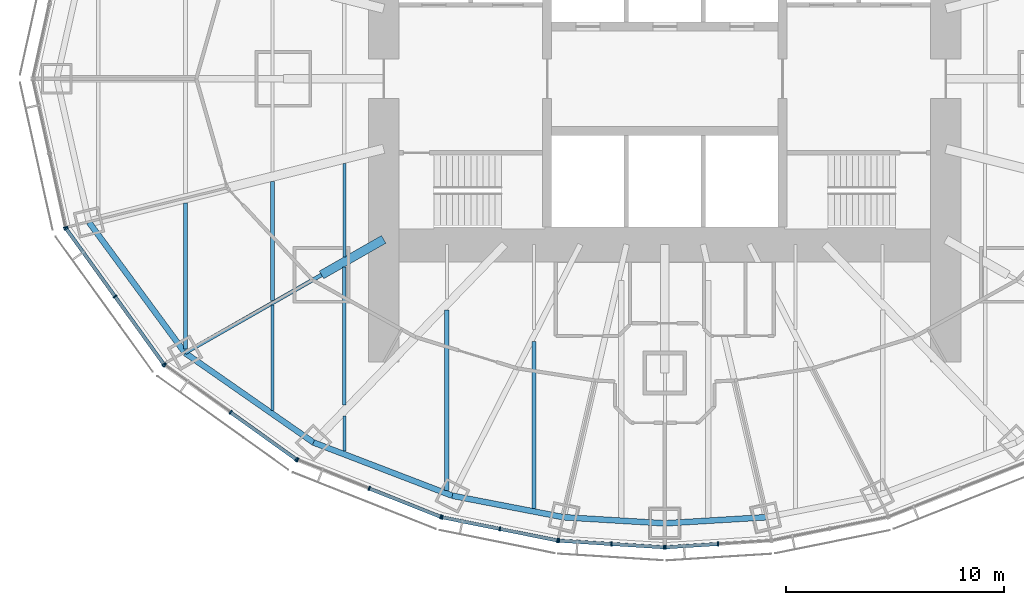
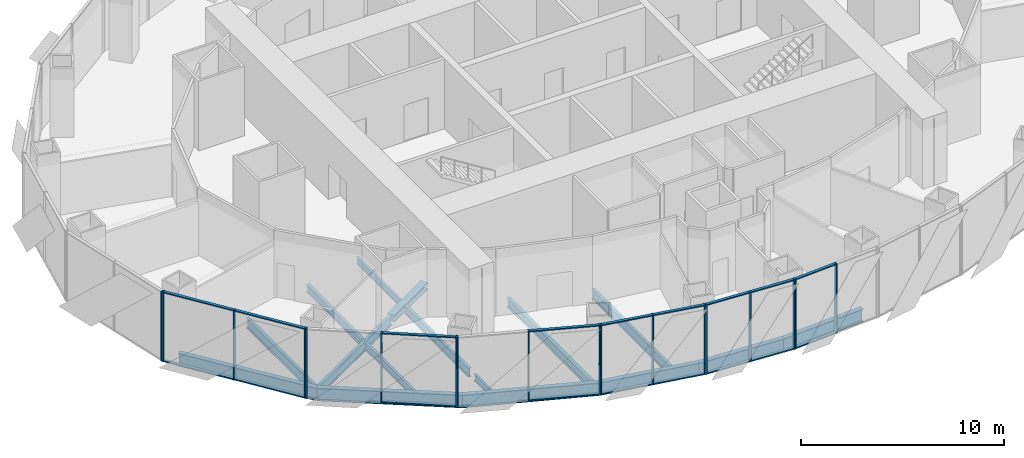
# One storey, part 2 of 17: 36 members, 16 beams, 7 elements without a shape of their own.
"""IFC4 building model written with IfcOpenShell, lengths in metres."""

from ifc_helpers import new_model, si_unit, direction, frame, origin, origin_2d, place, context, subcontext, project, spatial, rectangle, i_section, extrude, material, material_profile, profile_set, type_object, element, aggregate, save


model = new_model("IFC4")

# Units and contexts
model_context = context("Model", 3, precision=1e-05, world=origin(), true_north=direction((0.0, 1.0)))
body_context = subcontext(model_context, "Body", "Model", "MODEL_VIEW")
ifc_project = project(units=[si_unit("LENGTHUNIT", "METRE"), si_unit("AREAUNIT", "SQUARE_METRE"), si_unit("VOLUMEUNIT", "CUBIC_METRE"), si_unit("PLANEANGLEUNIT", "RADIAN"), si_unit("MASSUNIT", "GRAM", prefix="KILO")], contexts=[model_context])

# Site, building, storey
site_placement = place(None, origin())
site = spatial("IfcSite", under=ifc_project, at=site_placement, CompositionType="ELEMENT")
building_placement = place(site_placement, origin())
building = spatial("IfcBuilding", under=site, at=building_placement, Name="Lantaw Convention Tower", CompositionType="ELEMENT")
storey_placement = place(building_placement, frame((0.0, 0.0, 155.199951171875)))
storey = spatial("IfcBuildingStorey", under=building, at=storey_placement, Name="L36", CompositionType="ELEMENT", Elevation=155.199951171875)

# Beams
ifc_material_1 = material(Name="Steel ASTM A992", Category="steel")
ifc_material_profile_1 = material_profile(ifc_material_1, i_section(OverallWidth=0.2666015625, OverallDepth=0.76953125, WebThickness=0.015625, FlangeThickness=0.025390625, FilletRadius=0.0126953125, at=origin_2d()), Name="W30X132")
ifc_profile_set_1 = profile_set([ifc_material_profile_1], Name="Steel ASTM A992")
beam_type_1 = type_object("IfcBeamType", Name="Beam E W30X132", PredefinedType="SPANDREL", material=ifc_profile_set_1)
beam_1_placement = place(storey_placement, frame((-26.419921875, -6.587158203125, -0.53466796875), z_axis=(0.5923891972, -0.805651934176, 0.0), x_axis=(0.805651934176, 0.5923891972, 0.0)))
element("IfcBeam", 1, at=beam_1_placement, inside=storey, type_object=beam_type_1, Name="Edge beam 14", PredefinedType="SPANDREL", context=body_context, shape_type="SweptSolid", body=[
    extrude(i_section(OverallWidth=0.2666015625, OverallDepth=0.76953125, WebThickness=0.015625, FlangeThickness=0.025390625, FilletRadius=0.0126953125, at=origin_2d()), origin(), (0.0, 0.0, 1.0), 7.437744140625),
])
beam_2_placement = place(storey_placement, frame((-22.013916015625, -12.579345703125, -0.53466796875), z_axis=(0.820310765287, -0.57191804339, 0.0), x_axis=(0.57191804339, 0.820310765287, 0.0)))
element("IfcBeam", 2, at=beam_2_placement, inside=storey, type_object=beam_type_1, Name="Edge beam 15", PredefinedType="SPANDREL", context=body_context, shape_type="SweptSolid", body=[
    extrude(i_section(OverallWidth=0.2666015625, OverallDepth=0.76953125, WebThickness=0.015625, FlangeThickness=0.025390625, FilletRadius=0.0126953125, at=origin_2d()), origin(), (0.0, 0.0, 1.0), 7.187744140625),
])
beam_3_placement = place(storey_placement, frame((-16.11767578125, -16.690185546875, -0.53466796875), z_axis=(0.933691081977, -0.358079549033, 0.0), x_axis=(0.358079549033, 0.933691081977, 0.0)))
element("IfcBeam", 3, at=beam_3_placement, inside=storey, type_object=beam_type_1, Name="Edge beam 16", PredefinedType="SPANDREL", context=body_context, shape_type="SweptSolid", body=[
    extrude(i_section(OverallWidth=0.2666015625, OverallDepth=0.76953125, WebThickness=0.015625, FlangeThickness=0.025390625, FilletRadius=0.0126953125, at=origin_2d()), origin(), (0.0, 0.0, 1.0), 6.821533203125),
])
beam_4_placement = place(storey_placement, frame((-9.74853515625, -19.1328125, -0.53466796875), z_axis=(0.981796805654, -0.189934284446, 0.0), x_axis=(0.189934284446, 0.981796805654, 0.0)))
element("IfcBeam", 4, at=beam_4_placement, inside=storey, type_object=beam_type_1, Name="Edge beam 17", PredefinedType="SPANDREL", context=body_context, shape_type="SweptSolid", body=[
    extrude(i_section(OverallWidth=0.2666015625, OverallDepth=0.76953125, WebThickness=0.015625, FlangeThickness=0.025390625, FilletRadius=0.0126953125, at=origin_2d()), origin(), (0.0, 0.0, 1.0), 5.1982421875),
])
for number, where, z_axis, x_axis, name in (
    (5, (-4.64501953125, -20.1201171875, -0.53466796875), (0.998190892054, -0.06012439621, 0.0), (0.06012439621, 0.998190892054, 0.0), "Edge beam 18"),
    (6, (0.0, -20.39990234375, -0.53466796875), (0.998190892054, 0.06012439621, 0.0), (-0.06012439621, 0.998190892054, 0.0), "Edge beam 19"),
):
    element("IfcBeam", number, at=place(storey_placement, frame(where, z_axis=z_axis, x_axis=x_axis)), inside=storey, type_object=beam_type_1, Name=name, PredefinedType="SPANDREL", context=body_context, shape_type="SweptSolid", body=[
        extrude(i_section(OverallWidth=0.2666015625, OverallDepth=0.76953125, WebThickness=0.015625, FlangeThickness=0.025390625, FilletRadius=0.0126953125, at=origin_2d()), origin(), (0.0, 0.0, 1.0), 4.6533203125),
    ])
ifc_material_profile_2 = material_profile(ifc_material_1, i_section(OverallWidth=0.177978515625, OverallDepth=0.599365234375, WebThickness=0.010009765625, FlangeThickness=0.012939453125, FilletRadius=0.012939453125, at=origin_2d()), Name="W24X55")
ifc_profile_set_2 = profile_set([ifc_material_profile_2], Name="Steel ASTM A992")
beam_type_2 = type_object("IfcBeamType", Name="Beam G W24X55", PredefinedType="BEAM", material=ifc_profile_set_2)
beam_5_placement = place(storey_placement, frame((-15.75, -9.0, -0.44970703125), z_axis=(-0.868245224608, -0.496135293993, 0.0), x_axis=(0.496135293993, -0.868245224608, 0.0)))
element("IfcBeam", 7, at=beam_5_placement, inside=storey, type_object=beam_type_2, Name="Floor girder on ray 15", PredefinedType="BEAM", context=body_context, shape_type="SweptSolid", body=[
    extrude(i_section(OverallWidth=0.177978515625, OverallDepth=0.599365234375, WebThickness=0.010009765625, FlangeThickness=0.012939453125, FilletRadius=0.012939453125, at=origin_2d()), origin(), (0.0, 0.0, 1.0), 7.21435546875),
])
ifc_material_profile_3 = material_profile(ifc_material_1, i_section(OverallWidth=0.40380859375, OverallDepth=0.406494140625, WebThickness=0.027099609375, FlangeThickness=0.043701171875, FilletRadius=0.01513671875, at=origin_2d()), Name="W14X233")
ifc_profile_set_3 = profile_set([ifc_material_profile_3], Name="Steel ASTM A992")
beam_type_3 = type_object("IfcBeamType", Name="Beam GM W14X233", PredefinedType="BEAM", material=ifc_profile_set_3)
beam_6_placement = place(storey_placement, frame((-12.89990234375, -7.371337890625, -0.353271484375), z_axis=(-0.868238565244, -0.496146947811, 0.0), x_axis=(0.496146947811, -0.868238565244, 0.0)))
element("IfcBeam", 8, at=beam_6_placement, inside=storey, type_object=beam_type_3, Name="Core link beam on ray 15", PredefinedType="BEAM", context=body_context, shape_type="SweptSolid", body=[
    extrude(i_section(OverallWidth=0.40380859375, OverallDepth=0.406494140625, WebThickness=0.027099609375, FlangeThickness=0.043701171875, FilletRadius=0.01513671875, at=origin_2d()), origin(), (0.0, 0.0, 1.0), 3.28271484375),
])
ifc_material_profile_4 = material_profile(ifc_material_1, i_section(OverallWidth=0.140380859375, OverallDepth=0.40380859375, WebThickness=0.007080078125, FlangeThickness=0.01123046875, FilletRadius=0.01025390625, at=origin_2d()), Name="W16X31")
ifc_profile_set_4 = profile_set([ifc_material_profile_4], Name="Steel ASTM A992")
beam_type_4 = type_object("IfcBeamType", Name="Beam J W16X31", PredefinedType="JOIST", material=ifc_profile_set_4)
beam_7_placement = place(storey_placement, frame((-14.699951171875, -17.091064453125, -0.351806640625), z_axis=(0.0, 1.0, 0.0), x_axis=(-1.0, 0.0, 0.0)))
element("IfcBeam", 9, at=beam_7_placement, inside=storey, type_object=beam_type_4, Name="Floor joist", PredefinedType="JOIST", context=body_context, shape_type="SweptSolid", body=[
    extrude(i_section(OverallWidth=0.140380859375, OverallDepth=0.40380859375, WebThickness=0.007080078125, FlangeThickness=0.01123046875, FilletRadius=0.01025390625, at=origin_2d()), origin(), (0.0, 0.0, 1.0), 1.609130859375),
])
beam_8_placement = place(storey_placement, frame((-14.699951171875, -8.16748046875, -0.351806640625), z_axis=(0.0, 1.0, 0.0), x_axis=(-1.0, 0.0, 0.0)))
element("IfcBeam", 10, at=beam_8_placement, inside=storey, type_object=beam_type_4, Name="Floor joist", PredefinedType="JOIST", context=body_context, shape_type="SweptSolid", body=[
    extrude(i_section(OverallWidth=0.140380859375, OverallDepth=0.40380859375, WebThickness=0.007080078125, FlangeThickness=0.01123046875, FilletRadius=0.01025390625, at=origin_2d()), origin(), (0.0, 0.0, 1.0), 4.28515625),
])
ifc_material_profile_5 = material_profile(ifc_material_1, i_section(OverallWidth=0.15234375, OverallDepth=0.449462890625, WebThickness=0.007568359375, FlangeThickness=0.0107421875, FilletRadius=0.01025390625, at=origin_2d()), Name="W18X35")
ifc_profile_set_5 = profile_set([ifc_material_profile_5], Name="Steel ASTM A992")
beam_type_5 = type_object("IfcBeamType", Name="Beam J W18X35", PredefinedType="JOIST", material=ifc_profile_set_5)
beam_9_placement = place(storey_placement, frame((-18.0, -15.21533203125, -0.374755859375), z_axis=(0.0, 1.0, 0.0), x_axis=(-1.0, 0.0, 0.0)))
element("IfcBeam", 11, at=beam_9_placement, inside=storey, type_object=beam_type_5, Name="Floor joist", PredefinedType="JOIST", context=body_context, shape_type="SweptSolid", body=[
    extrude(i_section(OverallWidth=0.15234375, OverallDepth=0.449462890625, WebThickness=0.007568359375, FlangeThickness=0.0107421875, FilletRadius=0.01025390625, at=origin_2d()), origin(), (0.0, 0.0, 1.0), 4.8271484375),
])
ifc_material_profile_6 = material_profile(ifc_material_1, i_section(OverallWidth=0.1904296875, OverallDepth=0.457275390625, WebThickness=0.009033203125, FlangeThickness=0.014404296875, FilletRadius=0.01025390625, at=origin_2d()), Name="W18X50")
ifc_profile_set_6 = profile_set([ifc_material_profile_6], Name="Steel ASTM A992")
beam_type_6 = type_object("IfcBeamType", Name="Beam J W18X50", PredefinedType="JOIST", material=ifc_profile_set_6)
beam_10_placement = place(storey_placement, frame((-18.0, -10.18310546875, -0.378662109375), z_axis=(0.0, 1.0, 0.0), x_axis=(-1.0, 0.0, 0.0)))
element("IfcBeam", 12, at=beam_10_placement, inside=storey, type_object=beam_type_6, Name="Floor joist", PredefinedType="JOIST", context=body_context, shape_type="SweptSolid", body=[
    extrude(i_section(OverallWidth=0.1904296875, OverallDepth=0.457275390625, WebThickness=0.009033203125, FlangeThickness=0.014404296875, FilletRadius=0.01025390625, at=origin_2d()), origin(), (0.0, 0.0, 1.0), 5.47802734375),
])
ifc_material_profile_7 = material_profile(ifc_material_1, i_section(OverallWidth=0.1650390625, OverallDepth=0.52587890625, WebThickness=0.0087890625, FlangeThickness=0.011474609375, FilletRadius=0.0126953125, at=origin_2d()), Name="W21X44")
ifc_profile_set_7 = profile_set([ifc_material_profile_7], Name="Steel ASTM A992")
beam_type_7 = type_object("IfcBeamType", Name="Beam J W21X44", PredefinedType="JOIST", material=ifc_profile_set_7)
beam_11_placement = place(storey_placement, frame((-14.699951171875, -14.962646484375, -0.412841796875), z_axis=(0.0, 1.0, 0.0), x_axis=(-1.0, 0.0, 0.0)))
element("IfcBeam", 13, at=beam_11_placement, inside=storey, type_object=beam_type_7, Name="Floor joist", PredefinedType="JOIST", context=body_context, shape_type="SweptSolid", body=[
    extrude(i_section(OverallWidth=0.1650390625, OverallDepth=0.52587890625, WebThickness=0.0087890625, FlangeThickness=0.011474609375, FilletRadius=0.0126953125, at=origin_2d()), origin(), (0.0, 0.0, 1.0), 6.330078125),
])
ifc_material_profile_8 = material_profile(ifc_material_1, i_section(OverallWidth=0.2099609375, OverallDepth=0.535888671875, WebThickness=0.010986328125, FlangeThickness=0.017333984375, FilletRadius=0.012939453125, at=origin_2d()), Name="W21X68")
ifc_profile_set_8 = profile_set([ifc_material_profile_8], Name="Steel ASTM A992")
beam_type_8 = type_object("IfcBeamType", Name="Beam J W21X68", PredefinedType="JOIST", material=ifc_profile_set_8)
beam_12_placement = place(storey_placement, frame((-10.0, -18.8935546875, -0.41796875), z_axis=(0.0, 1.0, 0.0), x_axis=(-1.0, 0.0, 0.0)))
element("IfcBeam", 14, at=beam_12_placement, inside=storey, type_object=beam_type_8, Name="Floor joist", PredefinedType="JOIST", context=body_context, shape_type="SweptSolid", body=[
    extrude(i_section(OverallWidth=0.2099609375, OverallDepth=0.535888671875, WebThickness=0.010986328125, FlangeThickness=0.017333984375, FilletRadius=0.012939453125, at=origin_2d()), origin(), (0.0, 0.0, 1.0), 8.278564453125),
])
ifc_material_profile_9 = material_profile(ifc_material_1, i_section(OverallWidth=0.177978515625, OverallDepth=0.599365234375, WebThickness=0.010009765625, FlangeThickness=0.012939453125, FilletRadius=0.012939453125, at=origin_2d()), Name="W24X55")
ifc_profile_set_9 = profile_set([ifc_material_profile_9], Name="Steel ASTM A992")
beam_type_9 = type_object("IfcBeamType", Name="Beam J W24X55", PredefinedType="JOIST", material=ifc_profile_set_9)
beam_13_placement = place(storey_placement, frame((-22.0, -12.408935546875, -0.44970703125), z_axis=(0.0, 1.0, 0.0), x_axis=(-1.0, 0.0, 0.0)))
element("IfcBeam", 15, at=beam_13_placement, inside=storey, type_object=beam_type_9, Name="Floor joist", PredefinedType="JOIST", context=body_context, shape_type="SweptSolid", body=[
    extrude(i_section(OverallWidth=0.177978515625, OverallDepth=0.599365234375, WebThickness=0.010009765625, FlangeThickness=0.012939453125, FilletRadius=0.012939453125, at=origin_2d()), origin(), (0.0, 0.0, 1.0), 6.70654296875),
])
beam_14_placement = place(storey_placement, frame((-6.0, -19.72216796875, -0.44970703125), z_axis=(0.0, 1.0, 0.0), x_axis=(-1.0, 0.0, 0.0)))
element("IfcBeam", 16, at=beam_14_placement, inside=storey, type_object=beam_type_9, Name="Floor joist", PredefinedType="JOIST", context=body_context, shape_type="SweptSolid", body=[
    extrude(i_section(OverallWidth=0.177978515625, OverallDepth=0.599365234375, WebThickness=0.010009765625, FlangeThickness=0.012939453125, FilletRadius=0.012939453125, at=origin_2d()), origin(), (0.0, 0.0, 1.0), 7.666748046875),
])

# Curtain wall, member
ifc_material_2 = material(Name="Aluminium framed curtain wall", Category="aluminium")
curtain_wall_type = type_object("IfcCurtainWallType", Name="Office curtain wall low rise, pale aluminium", PredefinedType="USERDEFINED", material=ifc_material_2)
curtain_wall_1_placement = place(storey_placement, origin())
curtain_wall_1 = element("IfcCurtainWall", 17, at=curtain_wall_1_placement, inside=storey, type_object=curtain_wall_type, Name="Office curtain wall low rise, pale aluminium L36", ObjectType="UNITISED CURTAIN WALL", PredefinedType="USERDEFINED")
ifc_material_3 = material(Name="Aluminium 6063-T6", Category="aluminium")
ifc_material_profile_10 = material_profile(ifc_material_3, rectangle(XDim=0.199951171875, YDim=0.06494140625, at=origin_2d()), Name="CW-O1 mullion 65x200")
ifc_profile_set_10 = profile_set([ifc_material_profile_10], Name="Aluminium 6063-T6")
member_type_1 = type_object("IfcMemberType", Name="CW-O1 mullion 65x200", PredefinedType="MULLION", material=ifc_profile_set_10)
member_1_placement = place(storey_placement, frame((-27.494140625, -6.821533203125, -0.14990234375), z_axis=(0.0, 0.0, 1.0), x_axis=(0.9764936509, 0.215546166174, 0.0)))
member_1 = element("IfcMember", 18, at=member_1_placement, type_object=member_type_1, Name="CW-O1 mullion 3", PredefinedType="MULLION", context=body_context, shape_type="SweptSolid", body=[
    extrude(rectangle(XDim=0.199951171875, YDim=0.06494140625, at=origin_2d()), origin(), (0.0, 0.0, 1.0), 4.199951171875),
])
aggregate(curtain_wall_1, [member_1])

# Curtain wall, members
curtain_wall_2_placement = place(storey_placement, origin())
curtain_wall_2 = element("IfcCurtainWall", 19, at=curtain_wall_2_placement, inside=storey, type_object=curtain_wall_type, Name="Office curtain wall low rise, pale aluminium L36", ObjectType="UNITISED CURTAIN WALL", PredefinedType="USERDEFINED")
member_2_placement = place(storey_placement, frame((-27.46826171875, -6.879638671875, -0.14990234375), z_axis=(0.0, 0.0, 1.0), x_axis=(0.811384633629, 0.584512597221, 0.0)))
member_2 = element("IfcMember", 20, at=member_2_placement, type_object=member_type_1, Name="CW-O1 mullion 1", PredefinedType="MULLION", context=body_context, shape_type="SweptSolid", body=[
    extrude(rectangle(XDim=0.199951171875, YDim=0.06494140625, at=origin_2d()), origin(), (0.0, 0.0, 1.0), 4.199951171875),
])
member_3_placement = place(storey_placement, frame((-25.22802734375, -9.9892578125, -0.14990234375), z_axis=(0.0, 0.0, 1.0), x_axis=(0.811384633629, 0.584512597221, 0.0)))
member_3 = element("IfcMember", 21, at=member_3_placement, type_object=member_type_1, Name="CW-O1 mullion 2", PredefinedType="MULLION", context=body_context, shape_type="SweptSolid", body=[
    extrude(rectangle(XDim=0.199951171875, YDim=0.06494140625, at=origin_2d()), origin(), (0.0, 0.0, 1.0), 4.199951171875),
])
member_4_placement = place(storey_placement, frame((-22.988037109375, -13.098876953125, -0.14990234375), z_axis=(0.0, 0.0, 1.0), x_axis=(0.811384633629, 0.584512597221, 0.0)))
member_4 = element("IfcMember", 22, at=member_4_placement, type_object=member_type_1, Name="CW-O1 mullion 3", PredefinedType="MULLION", context=body_context, shape_type="SweptSolid", body=[
    extrude(rectangle(XDim=0.199951171875, YDim=0.06494140625, at=origin_2d()), origin(), (0.0, 0.0, 1.0), 4.199951171875),
])

curtain_wall_3_placement = place(storey_placement, origin())
curtain_wall_3 = element("IfcCurtainWall", 23, at=curtain_wall_3_placement, inside=storey, type_object=curtain_wall_type, Name="Office curtain wall low rise, pale aluminium L36", ObjectType="UNITISED CURTAIN WALL", PredefinedType="USERDEFINED")
member_5_placement = place(storey_placement, frame((-22.942626953125, -13.14404296875, -0.14990234375), z_axis=(0.0, 0.0, 1.0), x_axis=(0.581972695693, 0.813208325995, 0.0)))
member_5 = element("IfcMember", 24, at=member_5_placement, type_object=member_type_1, Name="CW-O1 mullion 1", PredefinedType="MULLION", context=body_context, shape_type="SweptSolid", body=[
    extrude(rectangle(XDim=0.199951171875, YDim=0.06494140625, at=origin_2d()), origin(), (0.0, 0.0, 1.0), 4.199951171875),
])
member_6_placement = place(storey_placement, frame((-19.92529296875, -15.303466796875, -0.14990234375), z_axis=(0.0, 0.0, 1.0), x_axis=(0.581972695693, 0.813208325995, 0.0)))
member_6 = element("IfcMember", 25, at=member_6_placement, type_object=member_type_1, Name="CW-O1 mullion 2", PredefinedType="MULLION", context=body_context, shape_type="SweptSolid", body=[
    extrude(rectangle(XDim=0.199951171875, YDim=0.06494140625, at=origin_2d()), origin(), (0.0, 0.0, 1.0), 4.199951171875),
])
member_7_placement = place(storey_placement, frame((-16.908203125, -17.462646484375, -0.14990234375), z_axis=(0.0, 0.0, 1.0), x_axis=(0.581972695693, 0.813208325995, 0.0)))
member_7 = element("IfcMember", 26, at=member_7_placement, type_object=member_type_1, Name="CW-O1 mullion 3", PredefinedType="MULLION", context=body_context, shape_type="SweptSolid", body=[
    extrude(rectangle(XDim=0.199951171875, YDim=0.06494140625, at=origin_2d()), origin(), (0.0, 0.0, 1.0), 4.199951171875),
])

curtain_wall_4_placement = place(storey_placement, origin())
curtain_wall_4 = element("IfcCurtainWall", 27, at=curtain_wall_4_placement, inside=storey, type_object=curtain_wall_type, Name="Office curtain wall low rise, pale aluminium L36", ObjectType="UNITISED CURTAIN WALL", PredefinedType="USERDEFINED")
member_8_placement = place(storey_placement, frame((-16.8515625, -17.49365234375, -0.14990234375), z_axis=(0.0, 0.0, 1.0), x_axis=(0.368701907483, 0.929547687544, 0.0)))
member_8 = element("IfcMember", 28, at=member_8_placement, type_object=member_type_1, Name="CW-O1 mullion 1", PredefinedType="MULLION", context=body_context, shape_type="SweptSolid", body=[
    extrude(rectangle(XDim=0.199951171875, YDim=0.06494140625, at=origin_2d()), origin(), (0.0, 0.0, 1.0), 4.199951171875),
])
member_9_placement = place(storey_placement, frame((-13.56494140625, -18.797119140625, -0.14990234375), z_axis=(0.0, 0.0, 1.0), x_axis=(0.368701907483, 0.929547687544, 0.0)))
member_9 = element("IfcMember", 29, at=member_9_placement, type_object=member_type_1, Name="CW-O1 mullion 2", PredefinedType="MULLION", context=body_context, shape_type="SweptSolid", body=[
    extrude(rectangle(XDim=0.199951171875, YDim=0.06494140625, at=origin_2d()), origin(), (0.0, 0.0, 1.0), 4.199951171875),
])
member_10_placement = place(storey_placement, frame((-10.2783203125, -20.100830078125, -0.14990234375), z_axis=(0.0, 0.0, 1.0), x_axis=(0.368701907483, 0.929547687544, 0.0)))
member_10 = element("IfcMember", 30, at=member_10_placement, type_object=member_type_1, Name="CW-O1 mullion 3", PredefinedType="MULLION", context=body_context, shape_type="SweptSolid", body=[
    extrude(rectangle(XDim=0.199951171875, YDim=0.06494140625, at=origin_2d()), origin(), (0.0, 0.0, 1.0), 4.199951171875),
])

curtain_wall_5_placement = place(storey_placement, origin())
curtain_wall_5 = element("IfcCurtainWall", 31, at=curtain_wall_5_placement, inside=storey, type_object=curtain_wall_type, Name="Office curtain wall low rise, pale aluminium L36", ObjectType="UNITISED CURTAIN WALL", PredefinedType="USERDEFINED")
member_11_placement = place(storey_placement, frame((-10.216064453125, -20.119140625, -0.14990234375), z_axis=(0.0, 0.0, 1.0), x_axis=(0.197506809659, 0.980301514912, 0.0)))
member_11 = element("IfcMember", 32, at=member_11_placement, type_object=member_type_1, Name="CW-O1 mullion 1", PredefinedType="MULLION", context=body_context, shape_type="SweptSolid", body=[
    extrude(rectangle(XDim=0.199951171875, YDim=0.06494140625, at=origin_2d()), origin(), (0.0, 0.0, 1.0), 4.199951171875),
])
member_12_placement = place(storey_placement, frame((-7.5703125, -20.65234375, -0.14990234375), z_axis=(0.0, 0.0, 1.0), x_axis=(0.197506809659, 0.980301514912, 0.0)))
member_12 = element("IfcMember", 33, at=member_12_placement, type_object=member_type_1, Name="CW-O1 mullion 2", PredefinedType="MULLION", context=body_context, shape_type="SweptSolid", body=[
    extrude(rectangle(XDim=0.199951171875, YDim=0.06494140625, at=origin_2d()), origin(), (0.0, 0.0, 1.0), 4.199951171875),
])
member_13_placement = place(storey_placement, frame((-4.92431640625, -21.185302734375, -0.14990234375), z_axis=(0.0, 0.0, 1.0), x_axis=(0.197506809659, 0.980301514912, 0.0)))
member_13 = element("IfcMember", 34, at=member_13_placement, type_object=member_type_1, Name="CW-O1 mullion 3", PredefinedType="MULLION", context=body_context, shape_type="SweptSolid", body=[
    extrude(rectangle(XDim=0.199951171875, YDim=0.06494140625, at=origin_2d()), origin(), (0.0, 0.0, 1.0), 4.199951171875),
])

curtain_wall_6_placement = place(storey_placement, origin())
curtain_wall_6 = element("IfcCurtainWall", 35, at=curtain_wall_6_placement, inside=storey, type_object=curtain_wall_type, Name="Office curtain wall low rise, pale aluminium L36", ObjectType="UNITISED CURTAIN WALL", PredefinedType="USERDEFINED")
member_14_placement = place(storey_placement, frame((-4.860107421875, -21.19384765625, -0.14990234375), z_axis=(0.0, 0.0, 1.0), x_axis=(0.062865059466, 0.998022035978, 0.0)))
member_14 = element("IfcMember", 36, at=member_14_placement, type_object=member_type_1, Name="CW-O1 mullion 1", PredefinedType="MULLION", context=body_context, shape_type="SweptSolid", body=[
    extrude(rectangle(XDim=0.199951171875, YDim=0.06494140625, at=origin_2d()), origin(), (0.0, 0.0, 1.0), 4.199951171875),
])
member_15_placement = place(storey_placement, frame((-2.4462890625, -21.345947265625, -0.14990234375), z_axis=(0.0, 0.0, 1.0), x_axis=(0.062865059466, 0.998022035978, 0.0)))
member_15 = element("IfcMember", 37, at=member_15_placement, type_object=member_type_1, Name="CW-O1 mullion 2", PredefinedType="MULLION", context=body_context, shape_type="SweptSolid", body=[
    extrude(rectangle(XDim=0.199951171875, YDim=0.06494140625, at=origin_2d()), origin(), (0.0, 0.0, 1.0), 4.199951171875),
])
member_16_placement = place(storey_placement, frame((-0.032470703125, -21.498046875, -0.14990234375), z_axis=(0.0, 0.0, 1.0), x_axis=(0.062865059466, 0.998022035978, 0.0)))
member_16 = element("IfcMember", 38, at=member_16_placement, type_object=member_type_1, Name="CW-O1 mullion 3", PredefinedType="MULLION", context=body_context, shape_type="SweptSolid", body=[
    extrude(rectangle(XDim=0.199951171875, YDim=0.06494140625, at=origin_2d()), origin(), (0.0, 0.0, 1.0), 4.199951171875),
])

curtain_wall_7_placement = place(storey_placement, origin())
curtain_wall_7 = element("IfcCurtainWall", 39, at=curtain_wall_7_placement, inside=storey, type_object=curtain_wall_type, Name="Office curtain wall low rise, pale aluminium L36", ObjectType="UNITISED CURTAIN WALL", PredefinedType="USERDEFINED")
member_17_placement = place(storey_placement, frame((0.032470703125, -21.498046875, -0.14990234375), z_axis=(0.0, 0.0, 1.0), x_axis=(-0.062865059466, 0.998022035978, 0.0)))
member_17 = element("IfcMember", 40, at=member_17_placement, type_object=member_type_1, Name="CW-O1 mullion 1", PredefinedType="MULLION", context=body_context, shape_type="SweptSolid", body=[
    extrude(rectangle(XDim=0.199951171875, YDim=0.06494140625, at=origin_2d()), origin(), (0.0, 0.0, 1.0), 4.199951171875),
])
member_18_placement = place(storey_placement, frame((2.4462890625, -21.345947265625, -0.14990234375), z_axis=(0.0, 0.0, 1.0), x_axis=(-0.062865059466, 0.998022035978, 0.0)))
member_18 = element("IfcMember", 41, at=member_18_placement, type_object=member_type_1, Name="CW-O1 mullion 2", PredefinedType="MULLION", context=body_context, shape_type="SweptSolid", body=[
    extrude(rectangle(XDim=0.199951171875, YDim=0.06494140625, at=origin_2d()), origin(), (0.0, 0.0, 1.0), 4.199951171875),
])

# Member
ifc_material_profile_11 = material_profile(ifc_material_3, rectangle(XDim=0.159912109375, YDim=0.06494140625, at=origin_2d()), Name="CW-O1 transom 65x160")
ifc_profile_set_11 = profile_set([ifc_material_profile_11], Name="Aluminium 6063-T6")
member_type_2 = type_object("IfcMemberType", Name="CW-O1 transom 65x160", PredefinedType="USERDEFINED", material=ifc_profile_set_11)
member_19_placement = place(storey_placement, frame((-27.44921875, -6.906005859375, -0.117431640625), z_axis=(0.584512973979, -0.811384362217, 0.0), x_axis=(0.811384362217, 0.584512973979, 0.0)))
member_19 = element("IfcMember", 42, at=member_19_placement, type_object=member_type_2, Name="CW-O1 transom 1.1", ObjectType="TRANSOM", PredefinedType="USERDEFINED", context=body_context, shape_type="SweptSolid", body=[
    extrude(rectangle(XDim=0.159912109375, YDim=0.06494140625, at=origin_2d()), origin(), (0.0, 0.0, 1.0), 3.767578125),
])

member_20_placement = place(storey_placement, frame((-27.44921875, -6.906005859375, 4.017578125), z_axis=(0.584512973979, -0.811384362217, 0.0), x_axis=(0.811384362217, 0.584512973979, 0.0)))
member_20 = element("IfcMember", 43, at=member_20_placement, type_object=member_type_2, Name="CW-O1 transom 1.2", ObjectType="TRANSOM", PredefinedType="USERDEFINED", context=body_context, shape_type="SweptSolid", body=[
    extrude(rectangle(XDim=0.159912109375, YDim=0.06494140625, at=origin_2d()), origin(), (0.0, 0.0, 1.0), 3.767578125),
])

member_21_placement = place(storey_placement, frame((-25.209228515625, -10.015625, -0.117431640625), z_axis=(0.584512973979, -0.811384362217, 0.0), x_axis=(0.811384362217, 0.584512973979, 0.0)))
member_21 = element("IfcMember", 44, at=member_21_placement, type_object=member_type_2, Name="CW-O1 transom 2.1", ObjectType="TRANSOM", PredefinedType="USERDEFINED", context=body_context, shape_type="SweptSolid", body=[
    extrude(rectangle(XDim=0.159912109375, YDim=0.06494140625, at=origin_2d()), origin(), (0.0, 0.0, 1.0), 3.767578125),
])

member_22_placement = place(storey_placement, frame((-25.209228515625, -10.015625, 4.017578125), z_axis=(0.584512973979, -0.811384362217, 0.0), x_axis=(0.811384362217, 0.584512973979, 0.0)))
member_22 = element("IfcMember", 45, at=member_22_placement, type_object=member_type_2, Name="CW-O1 transom 2.2", ObjectType="TRANSOM", PredefinedType="USERDEFINED", context=body_context, shape_type="SweptSolid", body=[
    extrude(rectangle(XDim=0.159912109375, YDim=0.06494140625, at=origin_2d()), origin(), (0.0, 0.0, 1.0), 3.767578125),
])

aggregate(curtain_wall_2, [member_2, member_3, member_4, member_19, member_20, member_21, member_22])

member_23_placement = place(storey_placement, frame((-19.89892578125, -15.322265625, -0.117431640625), z_axis=(0.813190089133, -0.581998177777, 0.0), x_axis=(0.581998177777, 0.813190089133, 0.0)))
member_23 = element("IfcMember", 46, at=member_23_placement, type_object=member_type_2, Name="CW-O1 transom 2.1", ObjectType="TRANSOM", PredefinedType="USERDEFINED", context=body_context, shape_type="SweptSolid", body=[
    extrude(rectangle(XDim=0.159912109375, YDim=0.06494140625, at=origin_2d()), origin(), (0.0, 0.0, 1.0), 3.645263671875),
])

member_24_placement = place(storey_placement, frame((-19.89892578125, -15.322265625, 4.017578125), z_axis=(0.813190089133, -0.581998177777, 0.0), x_axis=(0.581998177777, 0.813190089133, 0.0)))
member_24 = element("IfcMember", 47, at=member_24_placement, type_object=member_type_2, Name="CW-O1 transom 2.2", ObjectType="TRANSOM", PredefinedType="USERDEFINED", context=body_context, shape_type="SweptSolid", body=[
    extrude(rectangle(XDim=0.159912109375, YDim=0.06494140625, at=origin_2d()), origin(), (0.0, 0.0, 1.0), 3.645263671875),
])

aggregate(curtain_wall_3, [member_5, member_6, member_7, member_23, member_24])

member_25_placement = place(storey_placement, frame((-13.53466796875, -18.80908203125, -0.117431640625), z_axis=(0.929540081544, -0.368721082668, 0.0), x_axis=(0.368721082668, 0.929540081544, 0.0)))
member_25 = element("IfcMember", 48, at=member_25_placement, type_object=member_type_2, Name="CW-O1 transom 2.1", ObjectType="TRANSOM", PredefinedType="USERDEFINED", context=body_context, shape_type="SweptSolid", body=[
    extrude(rectangle(XDim=0.159912109375, YDim=0.06494140625, at=origin_2d()), origin(), (0.0, 0.0, 1.0), 3.470947265625),
])

member_26_placement = place(storey_placement, frame((-13.53466796875, -18.80908203125, 4.017578125), z_axis=(0.929540081544, -0.368721082668, 0.0), x_axis=(0.368721082668, 0.929540081544, 0.0)))
member_26 = element("IfcMember", 49, at=member_26_placement, type_object=member_type_2, Name="CW-O1 transom 2.2", ObjectType="TRANSOM", PredefinedType="USERDEFINED", context=body_context, shape_type="SweptSolid", body=[
    extrude(rectangle(XDim=0.159912109375, YDim=0.06494140625, at=origin_2d()), origin(), (0.0, 0.0, 1.0), 3.470947265625),
])

aggregate(curtain_wall_4, [member_8, member_9, member_10, member_25, member_26])

member_27_placement = place(storey_placement, frame((-10.184326171875, -20.125732421875, -0.117431640625), z_axis=(0.980301643003, -0.197506173891, 0.0), x_axis=(0.197506173891, 0.980301643003, 0.0)))
member_27 = element("IfcMember", 50, at=member_27_placement, type_object=member_type_2, Name="CW-O1 transom 1.1", ObjectType="TRANSOM", PredefinedType="USERDEFINED", context=body_context, shape_type="SweptSolid", body=[
    extrude(rectangle(XDim=0.159912109375, YDim=0.06494140625, at=origin_2d()), origin(), (0.0, 0.0, 1.0), 2.63427734375),
])

member_28_placement = place(storey_placement, frame((-10.184326171875, -20.125732421875, 4.017578125), z_axis=(0.980301643003, -0.197506173891, 0.0), x_axis=(0.197506173891, 0.980301643003, 0.0)))
member_28 = element("IfcMember", 51, at=member_28_placement, type_object=member_type_2, Name="CW-O1 transom 1.2", ObjectType="TRANSOM", PredefinedType="USERDEFINED", context=body_context, shape_type="SweptSolid", body=[
    extrude(rectangle(XDim=0.159912109375, YDim=0.06494140625, at=origin_2d()), origin(), (0.0, 0.0, 1.0), 2.63427734375),
])

member_29_placement = place(storey_placement, frame((-7.538330078125, -20.65869140625, -0.117431640625), z_axis=(0.980298027092, -0.197524120247, 0.0), x_axis=(0.197524120247, 0.980298027092, 0.0)))
member_29 = element("IfcMember", 52, at=member_29_placement, type_object=member_type_2, Name="CW-O1 transom 2.1", ObjectType="TRANSOM", PredefinedType="USERDEFINED", context=body_context, shape_type="SweptSolid", body=[
    extrude(rectangle(XDim=0.159912109375, YDim=0.06494140625, at=origin_2d()), origin(), (0.0, 0.0, 1.0), 2.634033203125),
])

member_30_placement = place(storey_placement, frame((-7.538330078125, -20.65869140625, 4.017578125), z_axis=(0.980298027092, -0.197524120247, 0.0), x_axis=(0.197524120247, 0.980298027092, 0.0)))
member_30 = element("IfcMember", 53, at=member_30_placement, type_object=member_type_2, Name="CW-O1 transom 2.2", ObjectType="TRANSOM", PredefinedType="USERDEFINED", context=body_context, shape_type="SweptSolid", body=[
    extrude(rectangle(XDim=0.159912109375, YDim=0.06494140625, at=origin_2d()), origin(), (0.0, 0.0, 1.0), 2.634033203125),
])

aggregate(curtain_wall_5, [member_11, member_12, member_13, member_27, member_28, member_29, member_30])

member_31_placement = place(storey_placement, frame((-4.82763671875, -21.19580078125, -0.117431640625), z_axis=(0.998022188463, -0.062862638625, 0.0), x_axis=(0.062862638625, 0.998022188463, 0.0)))
member_31 = element("IfcMember", 54, at=member_31_placement, type_object=member_type_2, Name="CW-O1 transom 1.1", ObjectType="TRANSOM", PredefinedType="USERDEFINED", context=body_context, shape_type="SweptSolid", body=[
    extrude(rectangle(XDim=0.159912109375, YDim=0.06494140625, at=origin_2d()), origin(), (0.0, 0.0, 1.0), 2.353515625),
])

member_32_placement = place(storey_placement, frame((-4.82763671875, -21.19580078125, 4.017578125), z_axis=(0.998022188463, -0.062862638625, 0.0), x_axis=(0.062862638625, 0.998022188463, 0.0)))
member_32 = element("IfcMember", 55, at=member_32_placement, type_object=member_type_2, Name="CW-O1 transom 1.2", ObjectType="TRANSOM", PredefinedType="USERDEFINED", context=body_context, shape_type="SweptSolid", body=[
    extrude(rectangle(XDim=0.159912109375, YDim=0.06494140625, at=origin_2d()), origin(), (0.0, 0.0, 1.0), 2.353515625),
])

member_33_placement = place(storey_placement, frame((-2.413818359375, -21.347900390625, -0.117431640625), z_axis=(0.998022188463, -0.062862638625, 0.0), x_axis=(0.062862638625, 0.998022188463, 0.0)))
member_33 = element("IfcMember", 56, at=member_33_placement, type_object=member_type_2, Name="CW-O1 transom 2.1", ObjectType="TRANSOM", PredefinedType="USERDEFINED", context=body_context, shape_type="SweptSolid", body=[
    extrude(rectangle(XDim=0.159912109375, YDim=0.06494140625, at=origin_2d()), origin(), (0.0, 0.0, 1.0), 2.353515625),
])

member_34_placement = place(storey_placement, frame((-2.413818359375, -21.347900390625, 4.017578125), z_axis=(0.998022188463, -0.062862638625, 0.0), x_axis=(0.062862638625, 0.998022188463, 0.0)))
member_34 = element("IfcMember", 57, at=member_34_placement, type_object=member_type_2, Name="CW-O1 transom 2.2", ObjectType="TRANSOM", PredefinedType="USERDEFINED", context=body_context, shape_type="SweptSolid", body=[
    extrude(rectangle(XDim=0.159912109375, YDim=0.06494140625, at=origin_2d()), origin(), (0.0, 0.0, 1.0), 2.353515625),
])

aggregate(curtain_wall_6, [member_14, member_15, member_16, member_31, member_32, member_33, member_34])

member_35_placement = place(storey_placement, frame((0.06494140625, -21.495849609375, -0.117431640625), z_axis=(0.998022188463, 0.062862638625, 0.0), x_axis=(-0.062862638625, 0.998022188463, 0.0)))
member_35 = element("IfcMember", 58, at=member_35_placement, type_object=member_type_2, Name="CW-O1 transom 1.1", ObjectType="TRANSOM", PredefinedType="USERDEFINED", context=body_context, shape_type="SweptSolid", body=[
    extrude(rectangle(XDim=0.159912109375, YDim=0.06494140625, at=origin_2d()), origin(), (0.0, 0.0, 1.0), 2.353515625),
])

member_36_placement = place(storey_placement, frame((0.06494140625, -21.495849609375, 4.017578125), z_axis=(0.998022188463, 0.062862638625, 0.0), x_axis=(-0.062862638625, 0.998022188463, 0.0)))
member_36 = element("IfcMember", 59, at=member_36_placement, type_object=member_type_2, Name="CW-O1 transom 1.2", ObjectType="TRANSOM", PredefinedType="USERDEFINED", context=body_context, shape_type="SweptSolid", body=[
    extrude(rectangle(XDim=0.159912109375, YDim=0.06494140625, at=origin_2d()), origin(), (0.0, 0.0, 1.0), 2.353515625),
])

aggregate(curtain_wall_7, [member_17, member_18, member_35, member_36])

save(model, "model.ifc")
